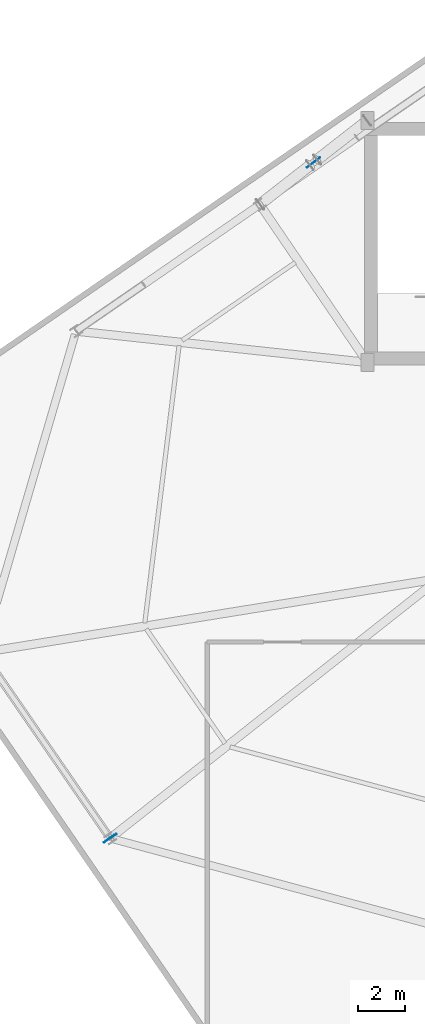
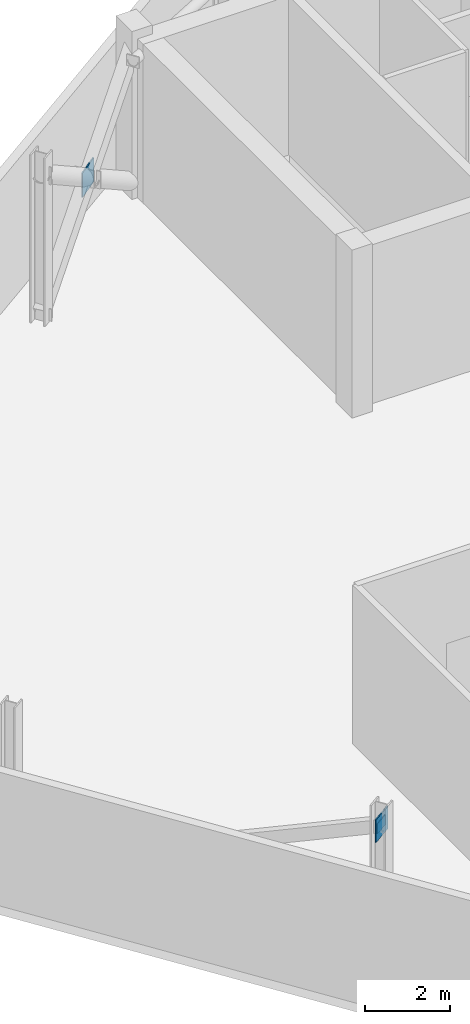
# One storey, part 3 of 10: 3 plates.
"""IFC4 building model written with IfcOpenShell, lengths in metres."""

from ifc_helpers import new_model, si_unit, direction, frame, origin, origin_2d, place, context, subcontext, project, spatial, rectangle, extrude, source, transform, mapped, material, layer, layer_set, type_object, element, save


model = new_model("IFC4")

# Units and contexts
model_context = context("Model", 3, precision=1e-05, world=origin(), true_north=direction((0.0, 1.0)))
body_context = subcontext(model_context, "Body", "Model", "MODEL_VIEW")
ifc_project = project(units=[si_unit("LENGTHUNIT", "METRE"), si_unit("AREAUNIT", "SQUARE_METRE"), si_unit("VOLUMEUNIT", "CUBIC_METRE"), si_unit("PLANEANGLEUNIT", "RADIAN"), si_unit("MASSUNIT", "GRAM", prefix="KILO")], contexts=[model_context])

# Site, building, storey
site_placement = place(None, origin())
site = spatial("IfcSite", under=ifc_project, at=site_placement, CompositionType="ELEMENT")
building_placement = place(site_placement, origin())
building = spatial("IfcBuilding", under=site, at=building_placement, Name="Varnelok Gate Tower", CompositionType="ELEMENT")
storey_placement = place(building_placement, frame((0.0, 0.0, 305.89990234375)))
storey = spatial("IfcBuildingStorey", under=building, at=storey_placement, Name="L78", CompositionType="ELEMENT", Elevation=305.89990234375)

# Plates
ifc_material = material(Name="Structural Steel ASTM A572 Grade 50", Category="steel")
ifc_layer_1 = layer(ifc_material, 0.02490234375)
ifc_layer_set_1 = layer_set([ifc_layer_1], Name="Structural Steel ASTM A572 Grade 50")
plate_type_1 = type_object("IfcPlateType", Name="PLT-ENDCAP-25", PredefinedType="SHEET", material=ifc_layer_set_1)
shared_shape_1 = source(origin(), body_context, "Body", "SweptSolid", [
    extrude(rectangle(XDim=0.02490234375, YDim=0.43994140625, at=origin_2d()), origin(), (0.0, 0.0, 1.0), 0.2900390625),
])
plate_1_placement = place(storey_placement, frame((19.739990234375, 8.510986328125, 4.039794921875), z_axis=(0.0, 0.0, 1.0), x_axis=(0.567268949127, -0.823532597628, 0.0)))
element("IfcPlate", 1, at=plate_1_placement, inside=storey, type_object=plate_type_1, Name="L78 hollow member sealed end plate 2", PredefinedType="SHEET", context=body_context, shape_type="MappedRepresentation", body=[
    mapped(shared_shape_1, transform((0.0, 0.0, 0.0), scale=1.0)),
])
ifc_layer_2 = layer(ifc_material, 0.031982421875)
ifc_layer_set_2 = layer_set([ifc_layer_2], Name="Structural Steel ASTM A572 Grade 50")
plate_type_2 = type_object("IfcPlateType", Name="PLT-GUSSET-32", PredefinedType="USERDEFINED", material=ifc_layer_set_2)
shared_shape_2 = source(origin(), body_context, "Body", "SweptSolid", [
    extrude(rectangle(XDim=0.64990234375, YDim=0.031982421875, at=origin_2d()), origin(), (0.0, 0.0, 1.0), 0.64990234375),
])
plate_2_placement = place(storey_placement, frame((19.7470703125, 8.50048828125, 3.865234375), z_axis=(0.0, 0.0, 1.0), x_axis=(0.823532597628, 0.567268949127, 0.0)))
element("IfcPlate", 2, at=plate_2_placement, inside=storey, type_object=plate_type_2, Name="L78 Belt Truss Node Gusset Plate BN-2", ObjectType="GUSSET PLATE", PredefinedType="USERDEFINED", context=body_context, shape_type="MappedRepresentation", body=[
    mapped(shared_shape_2, transform((0.0, 0.0, 0.0), scale=1.0)),
])
shared_shape_3 = source(origin(), body_context, "Body", "SweptSolid", [
    extrude(rectangle(XDim=0.699951171875, YDim=0.031982421875, at=origin_2d()), origin(), (0.0, 0.0, 1.0), 0.699951171875),
])
plate_3_placement = place(storey_placement, frame((28.40966796875, 37.2626953125, 1.84521484375), z_axis=(0.0, 0.0, 1.0), x_axis=(-0.788354480922, -0.615221271097, 0.0)))
element("IfcPlate", 3, at=plate_3_placement, inside=storey, type_object=plate_type_2, Name="L78 Outrigger X-Brace Gusset Plate XN-1", ObjectType="GUSSET PLATE", PredefinedType="USERDEFINED", context=body_context, shape_type="MappedRepresentation", body=[
    mapped(shared_shape_3, transform((0.0, 0.0, 0.0), scale=1.0)),
])

save(model, "model.ifc")
